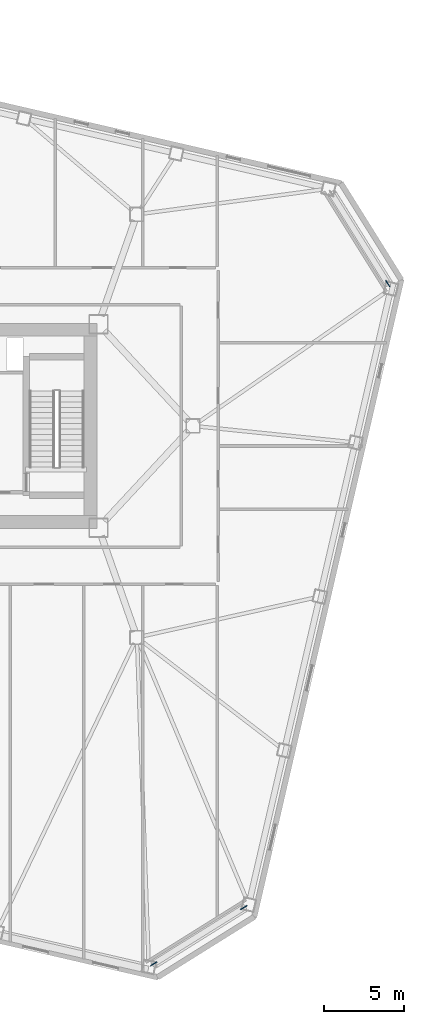
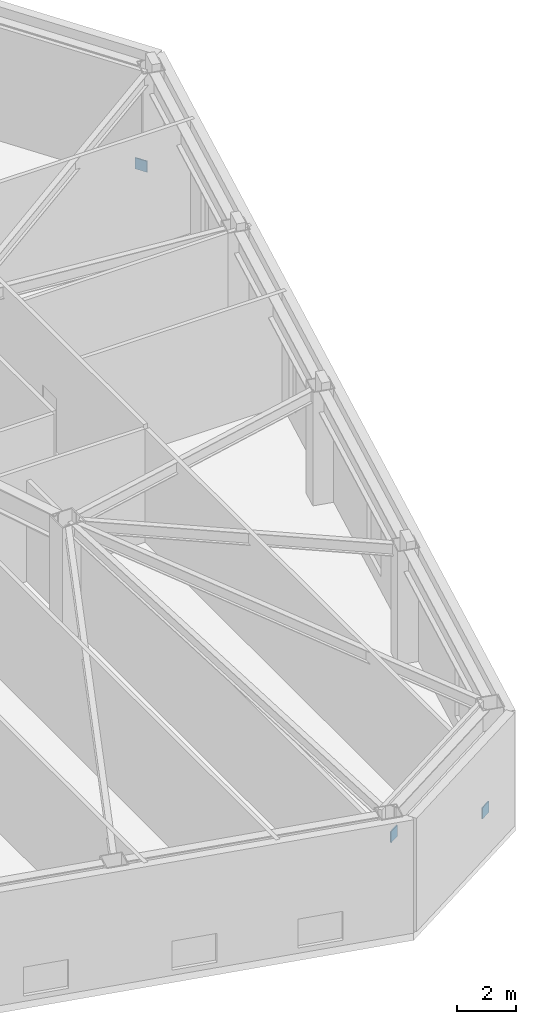
# One storey, part 18 of 21: 3 discrete accessories.
"""IFC4 building model written with IfcOpenShell, lengths in metres."""

from ifc_helpers import new_model, si_unit, direction, frame, origin, origin_2d, place, context, subcontext, project, spatial, rectangle, extrude, material, type_object, element, save


model = new_model("IFC4")

# Units and contexts
model_context = context("Model", 3, precision=1e-05, world=origin(), true_north=direction((0.0, 1.0)))
body_context = subcontext(model_context, "Body", "Model", "MODEL_VIEW")
ifc_project = project(units=[si_unit("LENGTHUNIT", "METRE"), si_unit("AREAUNIT", "SQUARE_METRE"), si_unit("VOLUMEUNIT", "CUBIC_METRE"), si_unit("PLANEANGLEUNIT", "RADIAN"), si_unit("MASSUNIT", "GRAM", prefix="KILO")], contexts=[model_context])

# Site, building, storey
site_placement = place(None, origin())
site = spatial("IfcSite", under=ifc_project, at=site_placement, CompositionType="ELEMENT")
building_placement = place(site_placement, origin())
building = spatial("IfcBuilding", under=site, at=building_placement, Name="Tavrogorsk Clinical Tower", CompositionType="ELEMENT")
storey_placement = place(building_placement, frame((0.0, 0.0, 8.39990234375)))
storey = spatial("IfcBuildingStorey", under=building, at=storey_placement, Name="L01", CompositionType="ELEMENT", Elevation=8.39990234375)

# Discrete accessories
ifc_material = material(Name="Structural steel S440", Category="steel")
discrete_accessory_type = type_object("IfcDiscreteAccessoryType", Name="GussetPlateBracket_25", PredefinedType="BRACKET", material=ifc_material)
for number, where, z_axis, x_axis, name in (
    (1, (31.162841796875, -30.055419921875, 0.243408203125), (0.0, 0.0, 1.0), (-0.848048096156, -0.529919264233, 0.0), "L01 Brace Gusset Plate EXOCRN-L01-1-A"),
    (2, (25.552978515625, -33.560791015625, 3.346923828125), (0.0, 0.0, 1.0), (-0.848048096156, -0.529919264233, 0.0), "L01 Brace Gusset Plate EXOCRN-L01-1-B"),
    (3, (40.152587890625, 8.8828125, 0.243408203125), (0.0, 0.0, 1.0), (-0.529919264233, 0.848048096156, 0.0), "L01 Brace Gusset Plate EXOCRN-L01-2-A"),
):
    element("IfcDiscreteAccessory", number, at=place(storey_placement, frame(where, z_axis=z_axis, x_axis=x_axis)), inside=storey, type_object=discrete_accessory_type, Name=name, PredefinedType="BRACKET", context=body_context, shape_type="SweptSolid", body=[
        extrude(rectangle(XDim=0.4599609375, YDim=0.0400390625, at=origin_2d()), origin(), (0.0, 0.0, 1.0), 0.4599609375),
    ])

save(model, "model.ifc")
